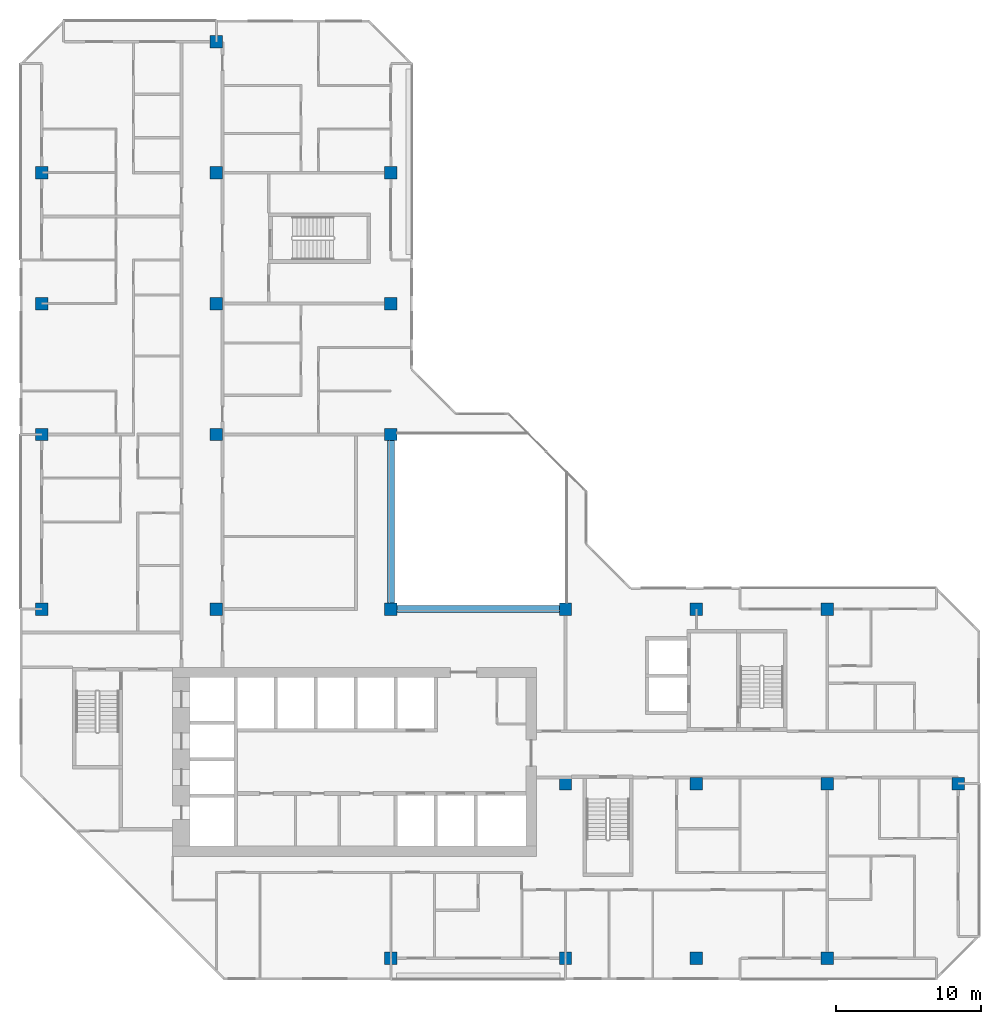
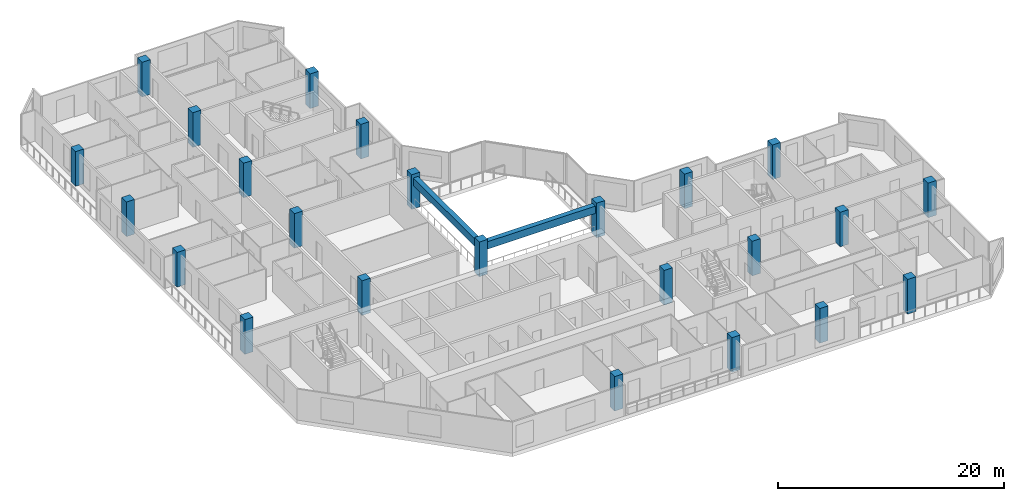
# One storey, part 1 of 14: 24 columns, 2 beams.
"""IFC4 building model written with IfcOpenShell, lengths in metres."""

from ifc_helpers import new_model, si_unit, direction, frame, origin, origin_2d, place, context, subcontext, project, spatial, rectangle, extrude, material, material_profile, profile_set, type_object, element, save


model = new_model("IFC4")

# Units and contexts
model_context = context("Model", 3, precision=1e-05, world=origin(), true_north=direction((0.0, 1.0)))
body_context = subcontext(model_context, "Body", "Model", "MODEL_VIEW")
ifc_project = project(units=[si_unit("LENGTHUNIT", "METRE"), si_unit("AREAUNIT", "SQUARE_METRE"), si_unit("VOLUMEUNIT", "CUBIC_METRE"), si_unit("PLANEANGLEUNIT", "RADIAN"), si_unit("MASSUNIT", "GRAM", prefix="KILO")], contexts=[model_context])

# Site, building, storey
site_placement = place(None, origin())
site = spatial("IfcSite", under=ifc_project, at=site_placement, CompositionType="ELEMENT")
building_placement = place(site_placement, origin())
building = spatial("IfcBuilding", under=site, at=building_placement, Name="Chenar Terraces", CompositionType="ELEMENT")
storey_placement = place(building_placement, frame((0.0, 0.0, 237.89990234375)))
storey = spatial("IfcBuildingStorey", under=building, at=storey_placement, Name="L56", CompositionType="ELEMENT", Elevation=237.89990234375)

# Columns
ifc_material_1 = material(Name="Concrete C60/75", Category="concrete")
ifc_material_profile_1 = material_profile(ifc_material_1, rectangle(XDim=0.85009765625, YDim=0.85009765625, at=origin_2d()), Name="C 850 x 850")
ifc_profile_set_1 = profile_set([ifc_material_profile_1], Name="Concrete C60/75")
column_type = type_object("IfcColumnType", Name="Column C 850 x 850 Concrete C60/75", PredefinedType="COLUMN", material=ifc_profile_set_1)
column_1_placement = place(storey_placement, frame((0.0, 24.0, 0.0), z_axis=(0.0, 0.0, 1.0), x_axis=(1.0, 0.0, 0.0)))
element("IfcColumn", 1, at=column_1_placement, inside=storey, type_object=column_type, Name="Column 5/G L56", PredefinedType="COLUMN", context=body_context, shape_type="SweptSolid", body=[
    extrude(rectangle(XDim=0.85009765625, YDim=0.85009765625, at=origin_2d()), origin(), (0.0, 0.0, 1.0), 3.75),
])
column_2_placement = place(storey_placement, frame((0.0, 36.0, 0.0), z_axis=(0.0, 0.0, 1.0), x_axis=(1.0, 0.0, 0.0)))
element("IfcColumn", 2, at=column_2_placement, inside=storey, type_object=column_type, Name="Column 5/H L56", PredefinedType="COLUMN", context=body_context, shape_type="SweptSolid", body=[
    extrude(rectangle(XDim=0.85009765625, YDim=0.85009765625, at=origin_2d()), origin(), (0.0, 0.0, 1.0), 3.75),
])
column_3_placement = place(storey_placement, frame((0.0, 45.0, 0.0), z_axis=(0.0, 0.0, 1.0), x_axis=(1.0, 0.0, 0.0)))
element("IfcColumn", 3, at=column_3_placement, inside=storey, type_object=column_type, Name="Column 5/J L56", PredefinedType="COLUMN", context=body_context, shape_type="SweptSolid", body=[
    extrude(rectangle(XDim=0.85009765625, YDim=0.85009765625, at=origin_2d()), origin(), (0.0, 0.0, 1.0), 3.75),
])
for number, where, z_axis, x_axis, name in (
    (4, (0.0, 54.0, 0.0), (0.0, 0.0, 1.0), (1.0, 0.0, 0.0), "Column 5/K L56"),
    (5, (12.0, 24.0, 0.0), (0.0, 0.0, 1.0), (1.0, 0.0, 0.0), "Column 6/G L56"),
    (6, (12.0, 36.0, 0.0), (0.0, 0.0, 1.0), (1.0, 0.0, 0.0), "Column 6/H L56"),
    (7, (12.0, 45.0, 0.0), (0.0, 0.0, 1.0), (1.0, 0.0, 0.0), "Column 6/J L56"),
    (8, (12.0, 54.0, 0.0), (0.0, 0.0, 1.0), (1.0, 0.0, 0.0), "Column 6/K L56"),
    (9, (12.0, 63.0, 0.0), (0.0, 0.0, 1.0), (1.0, 0.0, 0.0), "Column 6/L L56"),
    (10, (24.0, 0.0, 0.0), (0.0, 0.0, 1.0), (1.0, 0.0, 0.0), "Column 7/E L56"),
    (11, (24.0, 24.0, 0.0), (0.0, 0.0, 1.0), (1.0, 0.0, 0.0), "Column 7/G L56"),
    (12, (24.0, 36.0, 0.0), (0.0, 0.0, 1.0), (1.0, 0.0, 0.0), "Column 7/H L56"),
    (13, (24.0, 45.0, 0.0), (0.0, 0.0, 1.0), (1.0, 0.0, 0.0), "Column 7/J L56"),
    (14, (24.0, 54.0, 0.0), (0.0, 0.0, 1.0), (1.0, 0.0, 0.0), "Column 7/K L56"),
    (15, (36.0, 0.0, 0.0), (0.0, 0.0, 1.0), (1.0, 0.0, 0.0), "Column 8/E L56"),
    (16, (36.0, 12.0, 0.0), (0.0, 0.0, 1.0), (1.0, 0.0, 0.0), "Column 8/F L56"),
    (17, (36.0, 24.0, 0.0), (0.0, 0.0, 1.0), (1.0, 0.0, 0.0), "Column 8/G L56"),
    (18, (45.0, 0.0, 0.0), (0.0, 0.0, 1.0), (1.0, 0.0, 0.0), "Column 9/E L56"),
    (19, (45.0, 12.0, 0.0), (0.0, 0.0, 1.0), (1.0, 0.0, 0.0), "Column 9/F L56"),
    (20, (45.0, 24.0, 0.0), (0.0, 0.0, 1.0), (1.0, 0.0, 0.0), "Column 9/G L56"),
    (21, (54.0, 0.0, 0.0), (0.0, 0.0, 1.0), (1.0, 0.0, 0.0), "Column 10/E L56"),
    (22, (54.0, 12.0, 0.0), (0.0, 0.0, 1.0), (1.0, 0.0, 0.0), "Column 10/F L56"),
    (23, (54.0, 24.0, 0.0), (0.0, 0.0, 1.0), (1.0, 0.0, 0.0), "Column 10/G L56"),
    (24, (63.0, 12.0, 0.0), (0.0, 0.0, 1.0), (1.0, 0.0, 0.0), "Column 11/F L56"),
):
    element("IfcColumn", number, at=place(storey_placement, frame(where, z_axis=z_axis, x_axis=x_axis)), inside=storey, type_object=column_type, Name=name, PredefinedType="COLUMN", context=body_context, shape_type="SweptSolid", body=[
        extrude(rectangle(XDim=0.85009765625, YDim=0.85009765625, at=origin_2d()), origin(), (0.0, 0.0, 1.0), 3.75),
    ])

# Beams
ifc_material_2 = material(Name="Concrete C40/50", Category="concrete")
ifc_material_profile_2 = material_profile(ifc_material_2, rectangle(XDim=0.5, YDim=0.800048828125, at=origin_2d()), Name="RC 500 x 800")
ifc_profile_set_2 = profile_set([ifc_material_profile_2], Name="Concrete C40/50")
beam_type = type_object("IfcBeamType", Name="Atrium edge beam 500 x 800 Concrete C40/50", PredefinedType="BEAM", material=ifc_profile_set_2)
for number, where, z_axis, x_axis, name in (
    (25, (24.425048828125, 24.0, 2.9501953125), (1.0, 0.0, 0.0), (0.0, 1.0, 0.0), "Atrium edge beam L57 1"),
    (26, (24.0, 35.574951171875, 2.9501953125), (0.0, -1.0, 0.0), (1.0, 0.0, 0.0), "Atrium edge beam L57 4"),
):
    element("IfcBeam", number, at=place(storey_placement, frame(where, z_axis=z_axis, x_axis=x_axis)), inside=storey, type_object=beam_type, Name=name, PredefinedType="BEAM", context=body_context, shape_type="SweptSolid", body=[
        extrude(rectangle(XDim=0.5, YDim=0.800048828125, at=origin_2d()), origin(), (0.0, 0.0, 1.0), 11.14990234375),
    ])

save(model, "model.ifc")
